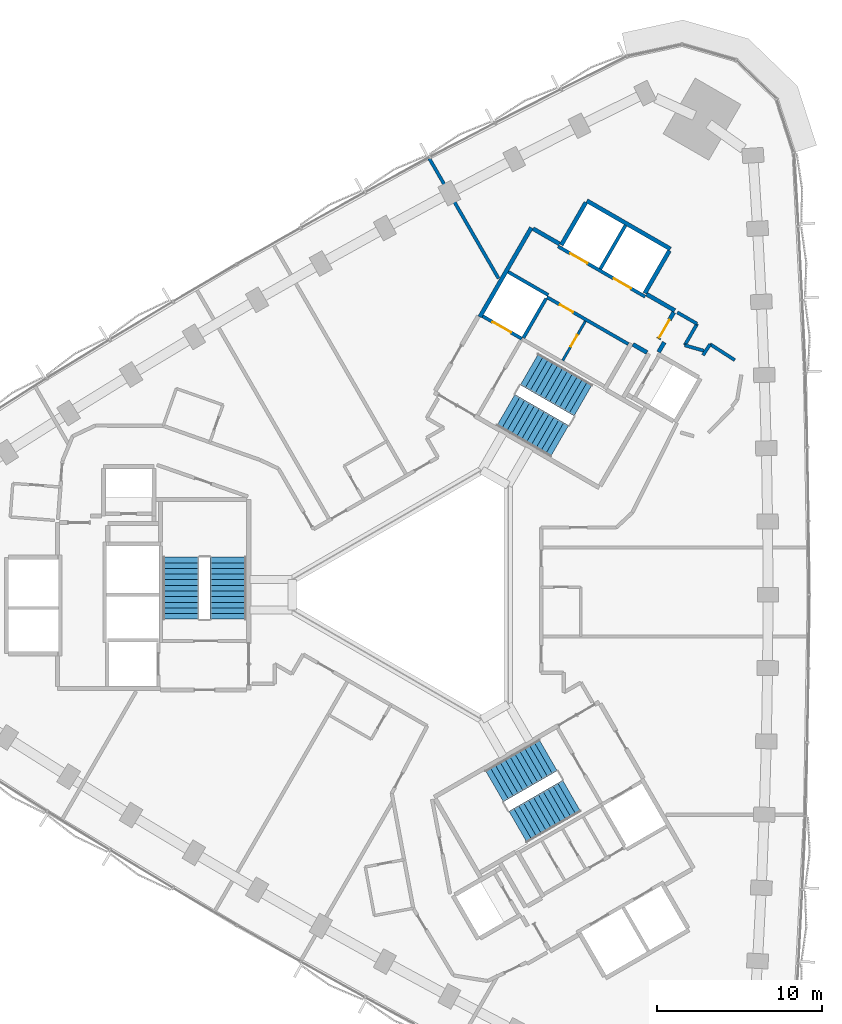
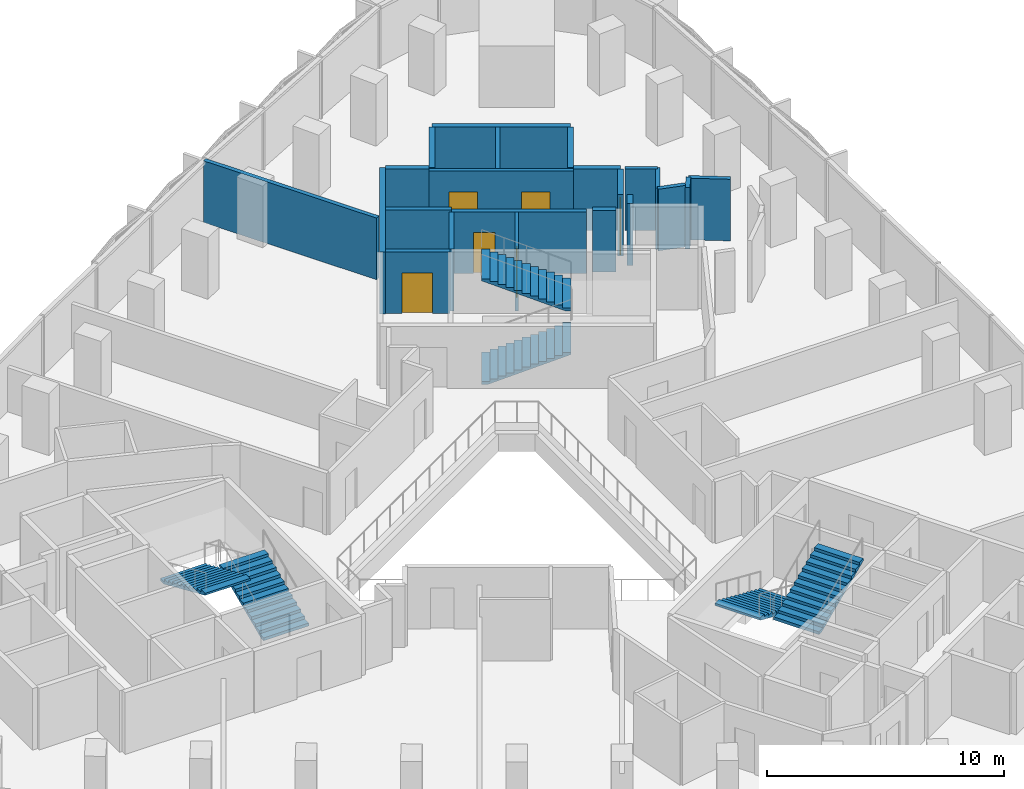
# One storey, part 11 of 15: 22 walls, 6 doors, 6 stair flights, 6 openings, 3 elements without a shape of their own.
"""IFC4 building model written with IfcOpenShell, lengths in metres."""

from ifc_helpers import new_model, si_unit, direction, frame, frame_2d, origin, place, context, subcontext, project, spatial, polyline, rectangle, outline, extrude, material, layer, layer_set, type_object, element, fill, aggregate, save


model = new_model("IFC4")

# Units and contexts
model_context = context("Model", 3, precision=1e-05, world=origin(), true_north=direction((0.0, 1.0)))
body_context = subcontext(model_context, "Body", "Model", "MODEL_VIEW")
ifc_project = project(units=[si_unit("LENGTHUNIT", "METRE"), si_unit("AREAUNIT", "SQUARE_METRE"), si_unit("VOLUMEUNIT", "CUBIC_METRE"), si_unit("PLANEANGLEUNIT", "RADIAN"), si_unit("MASSUNIT", "GRAM", prefix="KILO")], contexts=[model_context])

# Site, building, storey
site_placement = place(None, origin())
site = spatial("IfcSite", under=ifc_project, at=site_placement, CompositionType="ELEMENT")
building_placement = place(site_placement, origin())
building = spatial("IfcBuilding", under=site, at=building_placement, Name="Tamra Quay Hotel Tower", CompositionType="ELEMENT")
storey_placement = place(building_placement, frame((0.0, 0.0, 97.39990234375)))
storey = spatial("IfcBuildingStorey", under=building, at=storey_placement, Name="L23", CompositionType="ELEMENT", Elevation=97.39990234375)

# Wall, openings, doors
ifc_material_1 = material(Name="Concrete M70", Category="concrete")
ifc_layer_1 = layer(ifc_material_1, 0.199951171875)
ifc_layer_set_1 = layer_set([ifc_layer_1], Name="Concrete M70 core wall 200")
wall_type_1 = type_object("IfcWallType", Name="Concrete M70 core wall 200", PredefinedType="SHEAR", material=ifc_layer_set_1)
wall_1_placement = place(storey_placement, frame((13.209716796875, 18.07958984375, 0.0), z_axis=(0.0, 0.0, 1.0), x_axis=(-0.866030299012, 0.499991521122, 0.0)))
wall_1 = element("IfcWall", 1, at=wall_1_placement, inside=storey, type_object=wall_type_1, Name="CW2", PredefinedType="SHEAR", context=body_context, shape_type="SweptSolid", body=[
    extrude(rectangle(XDim=6.10009765625, YDim=0.199951171875, at=frame_2d((3.050048828125, 0.0))), origin(), (0.0, 0.0, 1.0), 3.175048828125),
])
opening_1_placement = place(wall_1_placement, frame((1.0, 0.0, 0.0)))
opening_1 = element("IfcOpeningElement", 2, at=opening_1_placement, cuts=wall_1, Name="Opening LD", PredefinedType="OPENING", context=body_context, shape_type="SweptSolid", body=[
    extrude(rectangle(XDim=1.199951171875, YDim=2.10009765625, at=frame_2d((0.60009765625, 1.050048828125))), frame((0.0, 0.10986328125, 0.0), z_axis=(0.0, -1.0, 0.0), x_axis=(1.0, 0.0, 0.0)), (0.0, 0.0, 1.0), 0.219970703125),
])
opening_2_placement = place(wall_1_placement, frame((4.05029296875, 0.0, 0.0)))
opening_2 = element("IfcOpeningElement", 3, at=opening_2_placement, cuts=wall_1, Name="Opening LD", PredefinedType="OPENING", context=body_context, shape_type="SweptSolid", body=[
    extrude(rectangle(XDim=1.199951171875, YDim=2.10009765625, at=frame_2d((0.60009765625, 1.050048828125))), frame((0.0, 0.10986328125, 0.0), z_axis=(0.0, -1.0, 0.0), x_axis=(1.0, 0.0, 0.0)), (0.0, 0.0, 1.0), 0.219970703125),
])
ifc_material_2 = material(Name="Landing door LD 1200 double door sliding")
door_type_1 = type_object("IfcDoorType", Name="Landing door LD 1200 double door sliding", OperationType="DOUBLE_DOOR_SLIDING", PredefinedType="DOOR", material=ifc_material_2)
door_1_placement = place(opening_1_placement, origin())
door_1 = element("IfcDoor", 4, at=door_1_placement, inside=storey, type_object=door_type_1, Name="LD", OperationType="DOUBLE_DOOR_SLIDING", OverallHeight=2.10009765625, OverallWidth=1.199951171875, PredefinedType="DOOR", context=body_context, shape_type="SweptSolid", body=[
    extrude(rectangle(XDim=1.199951171875, YDim=2.10009765625, at=frame_2d((0.60009765625, 1.050048828125))), frame((0.0, 0.02490234375, 0.0), z_axis=(0.0, -1.0, 0.0), x_axis=(1.0, 0.0, 0.0)), (0.0, 0.0, 1.0), 0.050048828125),
])
fill(opening_1, door_1)
door_2_placement = place(opening_2_placement, origin())
door_2 = element("IfcDoor", 5, at=door_2_placement, inside=storey, type_object=door_type_1, Name="LD", OperationType="DOUBLE_DOOR_SLIDING", OverallHeight=2.10009765625, OverallWidth=1.199951171875, PredefinedType="DOOR", context=body_context, shape_type="SweptSolid", body=[
    extrude(rectangle(XDim=1.199951171875, YDim=2.10009765625, at=frame_2d((0.60009765625, 1.050048828125))), frame((0.0, 0.02490234375, 0.0), z_axis=(0.0, -1.0, 0.0), x_axis=(1.0, 0.0, 0.0)), (0.0, 0.0, 1.0), 0.050048828125),
])
fill(opening_2, door_2)

# Wall, opening, door
wall_2_placement = place(storey_placement, frame((12.18505859375, 15.20703125, 0.0), z_axis=(0.0, 0.0, 1.0), x_axis=(-0.866020080793, 0.500009219579, 0.0)))
wall_2 = element("IfcWall", 6, at=wall_2_placement, inside=storey, type_object=wall_type_1, Name="CW2", PredefinedType="SHEAR", context=body_context, shape_type="SweptSolid", body=[
    extrude(rectangle(XDim=5.69921875, YDim=0.199951171875, at=frame_2d((2.849609375, 0.0))), origin(), (0.0, 0.0, 1.0), 3.175048828125),
])
opening_3_placement = place(wall_2_placement, frame((3.8740234375, 0.0, 0.0)))
opening_3 = element("IfcOpeningElement", 7, at=opening_3_placement, cuts=wall_2, Name="Opening D2", PredefinedType="OPENING", context=body_context, shape_type="SweptSolid", body=[
    extrude(rectangle(XDim=0.89990234375, YDim=2.10009765625, at=frame_2d((0.449951171875, 1.050048828125))), frame((0.0, 0.10986328125, 0.0), z_axis=(0.0, -1.0, 0.0), x_axis=(1.0, 0.0, 0.0)), (0.0, 0.0, 1.0), 0.219970703125),
])
ifc_material_3 = material(Name="Core door D2 900x2100 LH")
door_type_2 = type_object("IfcDoorType", Name="Core door D2 900x2100 LH", OperationType="NOTDEFINED", PredefinedType="DOOR", material=ifc_material_3)
door_3_placement = place(opening_3_placement, origin())
door_3 = element("IfcDoor", 8, at=door_3_placement, inside=storey, type_object=door_type_2, Name="D2", OperationType="SINGLE_SWING_LEFT", OverallHeight=2.10009765625, OverallWidth=0.89990234375, PredefinedType="DOOR", context=body_context, shape_type="SweptSolid", body=[
    extrude(rectangle(XDim=0.89990234375, YDim=2.10009765625, at=frame_2d((0.449951171875, 1.050048828125))), frame((0.0, 0.02490234375, 0.0), z_axis=(0.0, -1.0, 0.0), x_axis=(1.0, 0.0, 0.0)), (0.0, 0.0, 1.0), 0.050048828125),
])
fill(opening_3, door_3)

# Walls
wall_3_placement = place(storey_placement, frame((10.48876953125, 19.76708984375, 0.0), z_axis=(0.0, 0.0, 1.0), x_axis=(0.499946628782, 0.866056215479, 0.0)))
element("IfcWall", 9, at=wall_3_placement, inside=storey, type_object=wall_type_1, Name="CW2", PredefinedType="SHEAR", context=body_context, shape_type="SweptSolid", body=[
    extrude(rectangle(XDim=3.048095703125, YDim=0.199951171875, at=frame_2d((1.52392578125, 0.0))), origin(), (0.0, 0.0, 1.0), 3.175048828125),
])
wall_4_placement = place(storey_placement, frame((7.199462890625, 17.969970703125, 0.0), z_axis=(0.0, 0.0, 1.0), x_axis=(-0.499968400327, -0.866043647095, 0.0)))
element("IfcWall", 10, at=wall_4_placement, inside=storey, type_object=wall_type_1, Name="CW2", PredefinedType="SHEAR", context=body_context, shape_type="SweptSolid", body=[
    extrude(rectangle(XDim=2.749755859375, YDim=0.199951171875, at=frame_2d((1.375, 0.0))), origin(), (0.0, 0.0, 1.0), 3.175048828125),
])

# Wall, opening, door
wall_5_placement = place(storey_placement, frame((5.72509765625, 15.530517578125, 0.0), z_axis=(0.0, 0.0, 1.0), x_axis=(-0.866037306777, 0.499979382845, 0.0)))
wall_5 = element("IfcWall", 11, at=wall_5_placement, inside=storey, type_object=wall_type_1, Name="CW2", PredefinedType="SHEAR", context=body_context, shape_type="SweptSolid", body=[
    extrude(rectangle(XDim=2.74169921875, YDim=0.199951171875, at=frame_2d((1.370849609375, 0.0))), origin(), (0.0, 0.0, 1.0), 3.175048828125),
])
opening_4_placement = place(wall_5_placement, frame((0.742919921875, 0.0, 0.0)))
opening_4 = element("IfcOpeningElement", 12, at=opening_4_placement, cuts=wall_5, Name="Opening LD", PredefinedType="OPENING", context=body_context, shape_type="SweptSolid", body=[
    extrude(rectangle(XDim=1.300048828125, YDim=2.10009765625, at=frame_2d((0.64990234375, 1.050048828125))), frame((0.0, 0.10986328125, 0.0), z_axis=(0.0, -1.0, 0.0), x_axis=(1.0, 0.0, 0.0)), (0.0, 0.0, 1.0), 0.219970703125),
])
ifc_material_4 = material(Name="Landing door LD 1300 sliding to right")
door_type_3 = type_object("IfcDoorType", Name="Landing door LD 1300 sliding to right", OperationType="NOTDEFINED", PredefinedType="DOOR", material=ifc_material_4)
door_4_placement = place(opening_4_placement, origin())
door_4 = element("IfcDoor", 13, at=door_4_placement, inside=storey, type_object=door_type_3, Name="LD", OperationType="SLIDING_TO_RIGHT", OverallHeight=2.10009765625, OverallWidth=1.300048828125, PredefinedType="DOOR", context=body_context, shape_type="SweptSolid", body=[
    extrude(rectangle(XDim=1.300048828125, YDim=2.10009765625, at=frame_2d((0.64990234375, 1.050048828125))), frame((0.0, 0.02490234375, 0.0), z_axis=(0.0, -1.0, 0.0), x_axis=(1.0, 0.0, 0.0)), (0.0, 0.0, 1.0), 0.050048828125),
])
fill(opening_4, door_4)

# Walls
wall_6_placement = place(storey_placement, frame((4.900634765625, 19.5859375, 0.0), z_axis=(0.0, 0.0, 1.0), x_axis=(0.866022890907, -0.500004352405, 0.0)))
element("IfcWall", 14, at=wall_6_placement, inside=storey, type_object=wall_type_1, Name="CW2", PredefinedType="SHEAR", context=body_context, shape_type="SweptSolid", body=[
    extrude(rectangle(XDim=2.798828125, YDim=0.199951171875, at=frame_2d((1.3994140625, 0.0))), origin(), (0.0, 0.0, 1.0), 3.175048828125),
])
ifc_layer_2 = layer(ifc_material_1, 0.25)
ifc_layer_set_2 = layer_set([ifc_layer_2], Name="Concrete M70 core wall 250")
wall_type_2 = type_object("IfcWallType", Name="Concrete M70 core wall 250", PredefinedType="SHEAR", material=ifc_layer_set_2)
wall_7_placement = place(storey_placement, frame((3.178955078125, 16.856201171875, 0.0), z_axis=(0.0, 0.0, 1.0), x_axis=(0.500004234368, 0.866022959057, 0.0)))
element("IfcWall", 15, at=wall_7_placement, inside=storey, type_object=wall_type_2, Name="CW1", PredefinedType="SHEAR", context=body_context, shape_type="SweptSolid", body=[
    extrude(rectangle(XDim=6.25, YDim=0.25, at=frame_2d((3.125, 0.0))), origin(), (0.0, 0.0, 1.0), 3.175048828125),
])
wall_8_placement = place(storey_placement, frame((9.672607421875, 23.9033203125, 0.0), z_axis=(0.0, 0.0, 1.0), x_axis=(0.86603616409, -0.499981362141, 0.0)))
element("IfcWall", 16, at=wall_8_placement, inside=storey, type_object=wall_type_2, Name="CW1", PredefinedType="SHEAR", context=body_context, shape_type="SweptSolid", body=[
    extrude(rectangle(XDim=5.849853515625, YDim=0.25, at=frame_2d((2.9248046875, 0.0))), origin(), (0.0, 0.0, 1.0), 3.175048828125),
])
for number, where, z_axis, x_axis, name in (
    (17, (8.12255859375, 21.21875, 0.0), (0.0, 0.0, 1.0), (0.499987686533, 0.866032512851, 0.0), "CW1"),
    (18, (14.67626953125, 20.869873046875, 0.0), (0.0, 0.0, 1.0), (-0.499987686533, -0.866032512851, 0.0), "CW1"),
):
    element("IfcWall", number, at=place(storey_placement, frame(where, z_axis=z_axis, x_axis=x_axis)), inside=storey, type_object=wall_type_2, Name=name, PredefinedType="SHEAR", context=body_context, shape_type="SweptSolid", body=[
        extrude(rectangle(XDim=2.974609375, YDim=0.25, at=frame_2d((1.4873046875, 0.0))), origin(), (0.0, 0.0, 1.0), 3.175048828125),
    ])
wall_9_placement = place(storey_placement, frame((13.29736328125, 18.23095703125, 0.0), z_axis=(0.0, 0.0, 1.0), x_axis=(0.866043531843, -0.499968599967, 0.0)))
element("IfcWall", 19, at=wall_9_placement, inside=storey, type_object=wall_type_2, Name="CW1", PredefinedType="SHEAR", context=body_context, shape_type="SweptSolid", body=[
    extrude(rectangle(XDim=1.974853515625, YDim=0.25, at=frame_2d((0.9873046875, 0.0))), origin(), (0.0, 0.0, 1.0), 3.175048828125),
])
wall_10_placement = place(storey_placement, frame((6.41259765625, 22.2060546875, 0.0), z_axis=(0.0, 0.0, 1.0), x_axis=(0.866016279763, -0.500015802937, 0.0)))
element("IfcWall", 20, at=wall_10_placement, inside=storey, type_object=wall_type_2, Name="CW1", PredefinedType="SHEAR", context=body_context, shape_type="SweptSolid", body=[
    extrude(rectangle(XDim=1.84912109375, YDim=0.25, at=frame_2d((0.924560546875, 0.0))), origin(), (0.0, 0.0, 1.0), 3.175048828125),
])

# Wall, opening, door
wall_11_placement = place(storey_placement, frame((14.94482421875, 17.13525390625, 0.0), z_axis=(0.0, 0.0, 1.0), x_axis=(-0.499983108224, -0.866035156036, 0.0)))
wall_11 = element("IfcWall", 21, at=wall_11_placement, inside=storey, type_object=wall_type_2, Name="CW1", PredefinedType="SHEAR", context=body_context, shape_type="SweptSolid", body=[
    extrude(rectangle(XDim=1.86474609375, YDim=0.25, at=frame_2d((0.932373046875, 0.0))), origin(), (0.0, 0.0, 1.0), 3.175048828125),
])
opening_5_placement = place(wall_11_placement, frame((0.53466796875, 0.0, 0.0)))
opening_5 = element("IfcOpeningElement", 22, at=opening_5_placement, cuts=wall_11, Name="Opening FD3", PredefinedType="OPENING", context=body_context, shape_type="SweptSolid", body=[
    extrude(rectangle(XDim=1.25, YDim=2.10009765625, at=frame_2d((0.625, 1.050048828125))), frame((0.0, 0.135009765625, 0.0), z_axis=(0.0, -1.0, 0.0), x_axis=(1.0, 0.0, 0.0)), (0.0, 0.0, 1.0), 0.27001953125),
])
ifc_material_5 = material(Name="Core door FD3 1250x2100 LH")
door_type_4 = type_object("IfcDoorType", Name="Core door FD3 1250x2100 LH", OperationType="NOTDEFINED", PredefinedType="DOOR", material=ifc_material_5)
door_5_placement = place(opening_5_placement, origin())
door_5 = element("IfcDoor", 23, at=door_5_placement, inside=storey, type_object=door_type_4, Name="FD3", OperationType="SINGLE_SWING_LEFT", OverallHeight=2.10009765625, OverallWidth=1.25, PredefinedType="DOOR", context=body_context, shape_type="SweptSolid", body=[
    extrude(rectangle(XDim=1.25, YDim=2.10009765625, at=frame_2d((0.625, 1.050048828125))), frame((0.0, 0.02490234375, 0.0), z_axis=(0.0, -1.0, 0.0), x_axis=(1.0, 0.0, 0.0)), (0.0, 0.0, 1.0), 0.050048828125),
])
fill(opening_5, door_5)

# Walls
wall_12_placement = place(storey_placement, frame((13.322021484375, 14.695068359375, 0.0), z_axis=(0.0, 0.0, 1.0), x_axis=(-0.866017078145, 0.500014420154, 0.0)))
element("IfcWall", 24, at=wall_12_placement, inside=storey, type_object=wall_type_2, Name="CW1", PredefinedType="SHEAR", context=body_context, shape_type="SweptSolid", body=[
    extrude(rectangle(XDim=0.9892578125, YDim=0.25, at=frame_2d((0.49462890625, 0.0))), origin(), (0.0, 0.0, 1.0), 3.175048828125),
])
wall_13_placement = place(storey_placement, frame((14.36767578125, 15.3154296875, 0.0), z_axis=(0.0, 0.0, 1.0), x_axis=(-0.499897359611, -0.866084655132, 0.0)))
element("IfcWall", 25, at=wall_13_placement, inside=storey, type_object=wall_type_2, Name="CW1", PredefinedType="SHEAR", context=body_context, shape_type="SweptSolid", body=[
    extrude(rectangle(XDim=0.684814453125, YDim=0.25, at=frame_2d((0.34228515625, 0.0))), origin(), (0.0, 0.0, 1.0), 3.175048828125),
])

# Wall, opening, door
ifc_material_6 = material(Name="Blockwork", Category="masonry")
ifc_layer_3 = layer(ifc_material_6, 0.14990234375)
ifc_layer_set_3 = layer_set([ifc_layer_3], Name="Core partition block 150")
wall_type_3 = type_object("IfcWallType", Name="Core partition block 150", PredefinedType="PARTITIONING", material=ifc_layer_set_3)
wall_14_placement = place(storey_placement, frame((8.20654296875, 14.214111328125, 0.0), z_axis=(0.0, 0.0, 1.0), x_axis=(0.499922376475, 0.866070215109, 0.0)))
wall_14 = element("IfcWall", 26, at=wall_14_placement, inside=storey, type_object=wall_type_3, Name="CP1", PredefinedType="PARTITIONING", context=body_context, shape_type="SweptSolid", body=[
    extrude(rectangle(XDim=2.74853515625, YDim=0.14990234375, at=frame_2d((1.374267578125, 0.0))), origin(), (0.0, 0.0, 1.0), 3.175048828125),
])
opening_6_placement = place(wall_14_placement, frame((0.97412109375, 0.0, 0.0)))
opening_6 = element("IfcOpeningElement", 27, at=opening_6_placement, cuts=wall_14, Name="Opening D3", PredefinedType="OPENING", context=body_context, shape_type="SweptSolid", body=[
    extrude(rectangle(XDim=0.800048828125, YDim=2.10009765625, at=frame_2d((0.39990234375, 1.050048828125))), frame((0.0, 0.0849609375, 0.0), z_axis=(0.0, -1.0, 0.0), x_axis=(1.0, 0.0, 0.0)), (0.0, 0.0, 1.0), 0.169921875),
])
ifc_material_7 = material(Name="Core door D3 800x2100 LH")
door_type_5 = type_object("IfcDoorType", Name="Core door D3 800x2100 LH", OperationType="NOTDEFINED", PredefinedType="DOOR", material=ifc_material_7)
door_6_placement = place(opening_6_placement, origin())
door_6 = element("IfcDoor", 28, at=door_6_placement, inside=storey, type_object=door_type_5, Name="D3", OperationType="SINGLE_SWING_LEFT", OverallHeight=2.10009765625, OverallWidth=0.800048828125, PredefinedType="DOOR", context=body_context, shape_type="SweptSolid", body=[
    extrude(rectangle(XDim=0.800048828125, YDim=2.10009765625, at=frame_2d((0.39990234375, 1.050048828125))), frame((0.0, 0.02490234375, 0.0), z_axis=(0.0, -1.0, 0.0), x_axis=(1.0, 0.0, 0.0)), (0.0, 0.0, 1.0), 0.050048828125),
])
fill(opening_6, door_6)

# Walls
ifc_material_8 = material(Name="Partition corridor wall")
ifc_layer_4 = layer(ifc_material_8, 0.199951171875)
ifc_layer_set_4 = layer_set([ifc_layer_4], Name="Partition corridor wall")
wall_type_4 = type_object("IfcWallType", Name="Partition corridor wall", PredefinedType="PARTITIONING", material=ifc_layer_set_4)
wall_15_placement = place(storey_placement, frame((15.155517578125, 17.130126953125, 0.0), z_axis=(0.0, 0.0, 1.0), x_axis=(0.865755062894, -0.500467952093, 0.0)))
element("IfcWall", 29, at=wall_15_placement, inside=storey, type_object=wall_type_4, Name="W-C", PredefinedType="PARTITIONING", context=body_context, shape_type="SweptSolid", body=[
    extrude(rectangle(XDim=1.388916015625, YDim=0.199951171875, at=frame_2d((0.6943359375, 0.0))), origin(), (0.0, 0.0, 1.0), 3.175048828125),
])
wall_16_placement = place(storey_placement, frame((15.60888671875, 15.135986328125, 0.0), z_axis=(0.0, 0.0, 1.0), x_axis=(0.499501622561, 0.866312950993, 0.0)))
element("IfcWall", 30, at=wall_16_placement, inside=storey, type_object=wall_type_4, Name="W-C", PredefinedType="PARTITIONING", context=body_context, shape_type="SweptSolid", body=[
    extrude(rectangle(XDim=1.49951171875, YDim=0.199951171875, at=frame_2d((0.749755859375, 0.0))), origin(), (0.0, 0.0, 1.0), 3.175048828125),
])
wall_17_placement = place(storey_placement, frame((15.60888671875, 15.135986328125, 0.0), z_axis=(0.0, 0.0, 1.0), x_axis=(0.961600740063, -0.27445221207, 0.0)))
element("IfcWall", 31, at=wall_17_placement, inside=storey, type_object=wall_type_4, Name="W-C", PredefinedType="PARTITIONING", context=body_context, shape_type="SweptSolid", body=[
    extrude(rectangle(XDim=1.19921875, YDim=0.199951171875, at=frame_2d((0.599609375, 0.0))), origin(), (0.0, 0.0, 1.0), 3.175048828125),
])
wall_18_placement = place(storey_placement, frame((16.718017578125, 14.534912109375, 0.0), z_axis=(0.0, 0.0, 1.0), x_axis=(0.541473887989, 0.840717567692, 0.0)))
element("IfcWall", 32, at=wall_18_placement, inside=storey, type_object=wall_type_4, Name="W-C", PredefinedType="PARTITIONING", context=body_context, shape_type="SweptSolid", body=[
    extrude(rectangle(XDim=0.792236328125, YDim=0.199951171875, at=frame_2d((0.39599609375, 0.0))), origin(), (0.0, 0.0, 1.0), 3.175048828125),
])
wall_19_placement = place(storey_placement, frame((17.14697265625, 15.200927734375, 0.0), z_axis=(0.0, 0.0, 1.0), x_axis=(0.840821179535, -0.541312981596, 0.0)))
element("IfcWall", 33, at=wall_19_placement, inside=storey, type_object=wall_type_4, Name="W-C", PredefinedType="PARTITIONING", context=body_context, shape_type="SweptSolid", body=[
    extrude(rectangle(XDim=1.777099609375, YDim=0.199951171875, at=frame_2d((0.888671875, 0.0))), origin(), (0.0, 0.0, 1.0), 3.175048828125),
])
ifc_material_9 = material(Name="Partition party wall")
ifc_layer_5 = layer(ifc_material_9, 0.199951171875)
ifc_layer_set_5 = layer_set([ifc_layer_5], Name="Partition party wall")
wall_type_5 = type_object("IfcWallType", Name="Partition party wall", PredefinedType="PARTITIONING", material=ifc_layer_set_5)
wall_20_placement = place(storey_placement, frame((0.089599609375, 26.508544921875, 0.0), z_axis=(0.0, 0.0, 1.0), x_axis=(0.5000084477, -0.866020526448, 0.0)))
element("IfcWall", 34, at=wall_20_placement, inside=storey, type_object=wall_type_5, Name="W-P", PredefinedType="PARTITIONING", context=body_context, shape_type="SweptSolid", body=[
    extrude(rectangle(XDim=8.448486328125, YDim=0.199951171875, at=frame_2d((4.22412109375, 0.0))), origin(), (0.0, 0.0, 1.0), 3.175048828125),
])

# Stair, stair flights
ifc_material_10 = material(Name="Exit stair 2200 24 risers 150.0 going 342")
stair_type = type_object("IfcStairType", Name="Exit stair 2200 24 risers 150.0 going 342", PredefinedType="HALF_TURN_STAIR", material=ifc_material_10)
stair_1_placement = place(storey_placement, origin())
stair_1 = element("IfcStair", 35, at=stair_1_placement, inside=storey, type_object=stair_type, Name="L23 Exit stair ST3", PredefinedType="HALF_TURN_STAIR")
ifc_material_11 = material(Name="Exit stair flight 2200 12 risers 150.0")
stair_flight_type = type_object("IfcStairFlightType", Name="Exit stair flight 2200 12 risers 150.0", PredefinedType="STRAIGHT", material=ifc_material_11)
stair_flight_1_placement = place(storey_placement, frame((-12.082275390625, -1.47998046875, 0.0), z_axis=(0.0, 0.0, 1.0), x_axis=(0.0, 1.0, 0.0)))
stair_flight_1 = element("IfcStairFlight", 36, at=stair_flight_1_placement, type_object=stair_flight_type, Name="ST3 flight 1", NumberOfRisers=12, NumberOfTreads=11, PredefinedType="STRAIGHT", RiserHeight=0.15, TreadLength=0.342, context=body_context, shape_type="SweptSolid", body=[
    extrude(outline(polyline([(0.0, 0.0), (0.0, 0.14990234375), (0.342041015625, 0.14990234375), (0.342041015625, 0.300048828125), (0.68408203125, 0.300048828125), (0.68408203125, 0.449951171875), (1.02587890625, 0.449951171875), (1.02587890625, 0.60009765625), (1.367919921875, 0.60009765625), (1.367919921875, 0.75), (1.7099609375, 0.75), (1.7099609375, 0.89990234375), (2.052001953125, 0.89990234375), (2.052001953125, 1.050048828125), (2.39404296875, 1.050048828125), (2.39404296875, 1.199951171875), (2.736083984375, 1.199951171875), (2.736083984375, 1.35009765625), (3.077880859375, 1.35009765625), (3.077880859375, 1.5), (3.419921875, 1.5), (3.419921875, 1.64990234375), (3.761962890625, 1.64990234375), (3.761962890625, 1.800048828125), (3.761962890625, 1.540771484375), (0.249267578125, 0.0), (0.0, 0.0)])), frame((0.0, 1.10009765625, 0.0), z_axis=(0.0, -1.0, 0.0), x_axis=(1.0, 0.0, 0.0)), (0.0, 0.0, 1.0), 2.199951171875),
])
stair_flight_2_placement = place(storey_placement, frame((-14.94140625, 2.281982421875, 1.800048828125), z_axis=(0.0, 0.0, 1.0), x_axis=(0.0, -1.0, 0.0)))
stair_flight_2 = element("IfcStairFlight", 37, at=stair_flight_2_placement, type_object=stair_flight_type, Name="ST3 flight 2", NumberOfRisers=12, NumberOfTreads=11, PredefinedType="STRAIGHT", RiserHeight=0.15, TreadLength=0.342, context=body_context, shape_type="SweptSolid", body=[
    extrude(outline(polyline([(0.0, 0.0), (0.0, 0.14990234375), (0.342041015625, 0.14990234375), (0.342041015625, 0.300048828125), (0.68408203125, 0.300048828125), (0.68408203125, 0.449951171875), (1.02587890625, 0.449951171875), (1.02587890625, 0.60009765625), (1.367919921875, 0.60009765625), (1.367919921875, 0.75), (1.7099609375, 0.75), (1.7099609375, 0.89990234375), (2.052001953125, 0.89990234375), (2.052001953125, 1.050048828125), (2.39404296875, 1.050048828125), (2.39404296875, 1.199951171875), (2.736083984375, 1.199951171875), (2.736083984375, 1.35009765625), (3.077880859375, 1.35009765625), (3.077880859375, 1.5), (3.419921875, 1.5), (3.419921875, 1.64990234375), (3.761962890625, 1.64990234375), (3.761962890625, 1.800048828125), (3.761962890625, 1.540771484375), (0.249267578125, 0.0), (0.0, 0.0)])), frame((0.0, 1.10009765625, 0.0), z_axis=(0.0, -1.0, 0.0), x_axis=(1.0, 0.0, 0.0)), (0.0, 0.0, 1.0), 2.199951171875),
])
aggregate(stair_1, [stair_flight_1, stair_flight_2])

stair_2_placement = place(storey_placement, origin())
stair_2 = element("IfcStair", 38, at=stair_2_placement, inside=storey, type_object=stair_type, Name="L23 Exit stair ST1", PredefinedType="HALF_TURN_STAIR")
stair_flight_3_placement = place(storey_placement, frame((4.75927734375, 11.20361328125, 0.0), z_axis=(0.0, 0.0, 1.0), x_axis=(0.866025403784, -0.5, 0.0)))
stair_flight_3 = element("IfcStairFlight", 39, at=stair_flight_3_placement, type_object=stair_flight_type, Name="ST1 flight 1", NumberOfRisers=12, NumberOfTreads=11, PredefinedType="STRAIGHT", RiserHeight=0.15, TreadLength=0.342, context=body_context, shape_type="SweptSolid", body=[
    extrude(outline(polyline([(0.0, 0.0), (0.0, 0.14990234375), (0.342041015625, 0.14990234375), (0.342041015625, 0.300048828125), (0.68408203125, 0.300048828125), (0.68408203125, 0.449951171875), (1.02587890625, 0.449951171875), (1.02587890625, 0.60009765625), (1.367919921875, 0.60009765625), (1.367919921875, 0.75), (1.7099609375, 0.75), (1.7099609375, 0.89990234375), (2.052001953125, 0.89990234375), (2.052001953125, 1.050048828125), (2.39404296875, 1.050048828125), (2.39404296875, 1.199951171875), (2.736083984375, 1.199951171875), (2.736083984375, 1.35009765625), (3.077880859375, 1.35009765625), (3.077880859375, 1.5), (3.419921875, 1.5), (3.419921875, 1.64990234375), (3.761962890625, 1.64990234375), (3.761962890625, 1.800048828125), (3.761962890625, 1.540771484375), (0.249267578125, 0.0), (0.0, 0.0)])), frame((0.0, 1.10009765625, 0.0), z_axis=(0.0, -1.0, 0.0), x_axis=(1.0, 0.0, 0.0)), (0.0, 0.0, 1.0), 2.199951171875),
])
stair_flight_4_placement = place(storey_placement, frame((9.44677734375, 11.798583984375, 1.800048828125), z_axis=(0.0, 0.0, 1.0), x_axis=(-0.866025403784, 0.5, 0.0)))
stair_flight_4 = element("IfcStairFlight", 40, at=stair_flight_4_placement, type_object=stair_flight_type, Name="ST1 flight 2", NumberOfRisers=12, NumberOfTreads=11, PredefinedType="STRAIGHT", RiserHeight=0.15, TreadLength=0.342, context=body_context, shape_type="SweptSolid", body=[
    extrude(outline(polyline([(0.0, 0.0), (0.0, 0.14990234375), (0.342041015625, 0.14990234375), (0.342041015625, 0.300048828125), (0.68408203125, 0.300048828125), (0.68408203125, 0.449951171875), (1.02587890625, 0.449951171875), (1.02587890625, 0.60009765625), (1.367919921875, 0.60009765625), (1.367919921875, 0.75), (1.7099609375, 0.75), (1.7099609375, 0.89990234375), (2.052001953125, 0.89990234375), (2.052001953125, 1.050048828125), (2.39404296875, 1.050048828125), (2.39404296875, 1.199951171875), (2.736083984375, 1.199951171875), (2.736083984375, 1.35009765625), (3.077880859375, 1.35009765625), (3.077880859375, 1.5), (3.419921875, 1.5), (3.419921875, 1.64990234375), (3.761962890625, 1.64990234375), (3.761962890625, 1.800048828125), (3.761962890625, 1.540771484375), (0.249267578125, 0.0), (0.0, 0.0)])), frame((0.0, 1.10009765625, 0.0), z_axis=(0.0, -1.0, 0.0), x_axis=(1.0, 0.0, 0.0)), (0.0, 0.0, 1.0), 2.199951171875),
])
aggregate(stair_2, [stair_flight_3, stair_flight_4])

stair_3_placement = place(storey_placement, origin())
stair_3 = element("IfcStair", 41, at=stair_3_placement, inside=storey, type_object=stair_type, Name="L23 Exit stair ST2", PredefinedType="HALF_TURN_STAIR")
stair_flight_5_placement = place(storey_placement, frame((7.322998046875, -9.7236328125, 0.0), z_axis=(0.0, 0.0, 1.0), x_axis=(-0.866025403784, -0.5, 0.0)))
stair_flight_5 = element("IfcStairFlight", 42, at=stair_flight_5_placement, type_object=stair_flight_type, Name="ST2 flight 1", NumberOfRisers=12, NumberOfTreads=11, PredefinedType="STRAIGHT", RiserHeight=0.15, TreadLength=0.342, context=body_context, shape_type="SweptSolid", body=[
    extrude(outline(polyline([(0.0, 0.0), (0.0, 0.14990234375), (0.342041015625, 0.14990234375), (0.342041015625, 0.300048828125), (0.68408203125, 0.300048828125), (0.68408203125, 0.449951171875), (1.02587890625, 0.449951171875), (1.02587890625, 0.60009765625), (1.367919921875, 0.60009765625), (1.367919921875, 0.75), (1.7099609375, 0.75), (1.7099609375, 0.89990234375), (2.052001953125, 0.89990234375), (2.052001953125, 1.050048828125), (2.39404296875, 1.050048828125), (2.39404296875, 1.199951171875), (2.736083984375, 1.199951171875), (2.736083984375, 1.35009765625), (3.077880859375, 1.35009765625), (3.077880859375, 1.5), (3.419921875, 1.5), (3.419921875, 1.64990234375), (3.761962890625, 1.64990234375), (3.761962890625, 1.800048828125), (3.761962890625, 1.540771484375), (0.249267578125, 0.0), (0.0, 0.0)])), frame((0.0, 1.10009765625, 0.0), z_axis=(0.0, -1.0, 0.0), x_axis=(1.0, 0.0, 0.0)), (0.0, 0.0, 1.0), 2.199951171875),
])
stair_flight_6_placement = place(storey_placement, frame((5.494384765625, -14.08056640625, 1.800048828125), z_axis=(0.0, 0.0, 1.0), x_axis=(0.866025403784, 0.5, 0.0)))
stair_flight_6 = element("IfcStairFlight", 43, at=stair_flight_6_placement, type_object=stair_flight_type, Name="ST2 flight 2", NumberOfRisers=12, NumberOfTreads=11, PredefinedType="STRAIGHT", RiserHeight=0.15, TreadLength=0.342, context=body_context, shape_type="SweptSolid", body=[
    extrude(outline(polyline([(0.0, 0.0), (0.0, 0.14990234375), (0.342041015625, 0.14990234375), (0.342041015625, 0.300048828125), (0.68408203125, 0.300048828125), (0.68408203125, 0.449951171875), (1.02587890625, 0.449951171875), (1.02587890625, 0.60009765625), (1.367919921875, 0.60009765625), (1.367919921875, 0.75), (1.7099609375, 0.75), (1.7099609375, 0.89990234375), (2.052001953125, 0.89990234375), (2.052001953125, 1.050048828125), (2.39404296875, 1.050048828125), (2.39404296875, 1.199951171875), (2.736083984375, 1.199951171875), (2.736083984375, 1.35009765625), (3.077880859375, 1.35009765625), (3.077880859375, 1.5), (3.419921875, 1.5), (3.419921875, 1.64990234375), (3.761962890625, 1.64990234375), (3.761962890625, 1.800048828125), (3.761962890625, 1.540771484375), (0.249267578125, 0.0), (0.0, 0.0)])), frame((0.0, 1.10009765625, 0.0), z_axis=(0.0, -1.0, 0.0), x_axis=(1.0, 0.0, 0.0)), (0.0, 0.0, 1.0), 2.199951171875),
])
aggregate(stair_3, [stair_flight_5, stair_flight_6])

save(model, "model.ifc")
